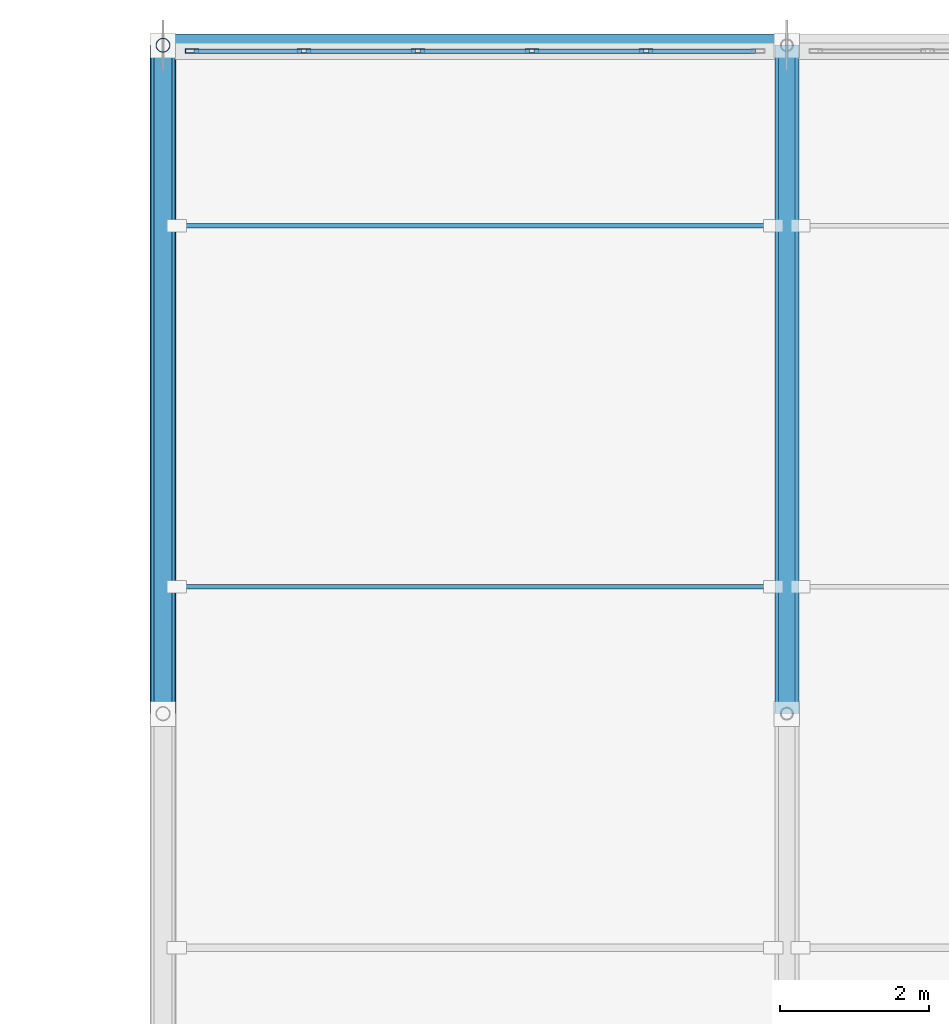
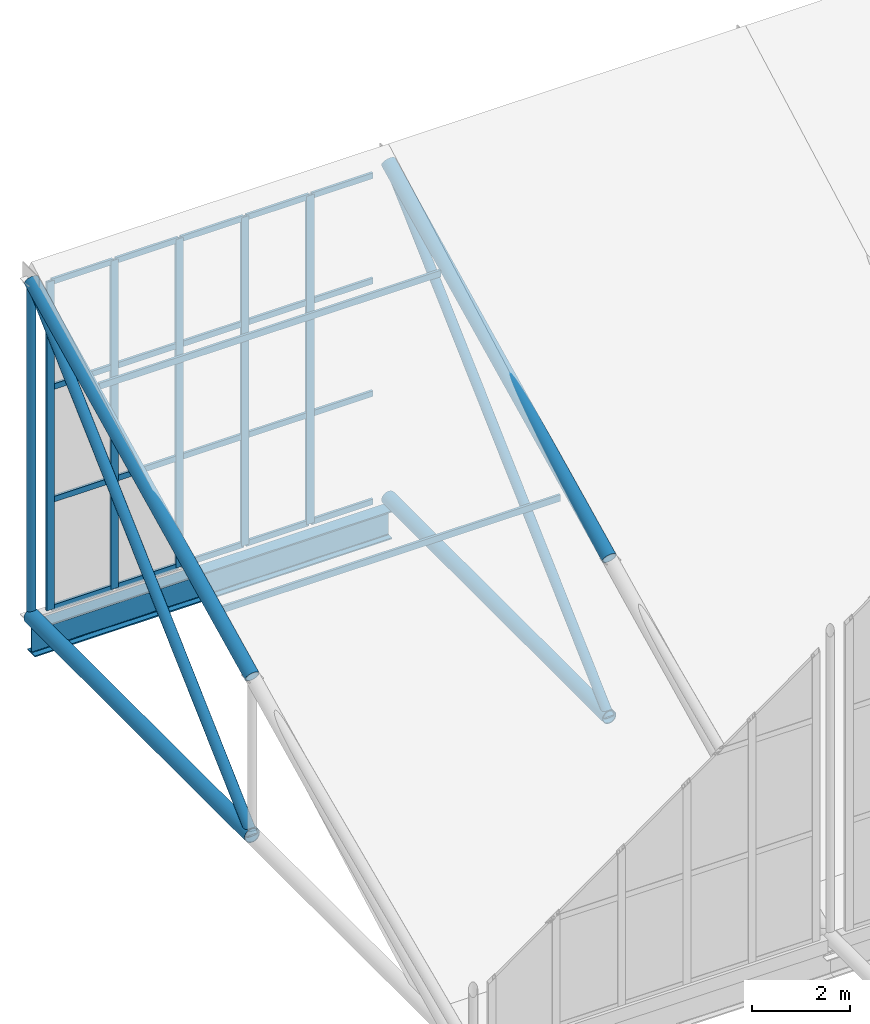
# One storey, part 21 of 38: 34 members, 1 beam, 1 element without a shape of its own.
"""IFC4 building model written with IfcOpenShell, lengths in metres."""

from ifc_helpers import new_model, si_unit, direction, frame, origin, origin_2d, place, context, subcontext, project, spatial, hollow_rectangle, hollow_circle, i_section, extrude, material, material_profile, profile_set, type_object, element, aggregate, save


model = new_model("IFC4")

# Units and contexts
model_context = context("Model", 3, precision=1e-05, world=origin(), true_north=direction((0.0, 1.0)))
body_context = subcontext(model_context, "Body", "Model", "MODEL_VIEW")
ifc_project = project(units=[si_unit("LENGTHUNIT", "METRE"), si_unit("AREAUNIT", "SQUARE_METRE"), si_unit("VOLUMEUNIT", "CUBIC_METRE"), si_unit("PLANEANGLEUNIT", "RADIAN"), si_unit("MASSUNIT", "GRAM", prefix="KILO")], contexts=[model_context])

# Site, building, storey
site_placement = place(None, origin())
site = spatial("IfcSite", under=ifc_project, at=site_placement, CompositionType="ELEMENT")
building_placement = place(site_placement, origin())
building = spatial("IfcBuilding", under=site, at=building_placement, Name="Veltarok Museum of Natural Sciences", CompositionType="ELEMENT")
storey_placement = place(building_placement, frame((0.0, 0.0, 31.199951171875)))
storey = spatial("IfcBuildingStorey", under=building, at=storey_placement, Name="RF", CompositionType="ELEMENT", Elevation=31.199951171875)

# Beam
ifc_material_1 = material(Name="Steel S355J2", Category="steel")
ifc_material_profile_1 = material_profile(ifc_material_1, i_section(OverallWidth=0.300048828125, OverallDepth=0.699951171875, WebThickness=0.01708984375, FlangeThickness=0.031982421875, FilletRadius=0.027099609375, at=origin_2d()), Name="HEB 700")
ifc_profile_set_1 = profile_set([ifc_material_profile_1], Name="Steel S355J2")
beam_type = type_object("IfcBeamType", Name="Long-Span Hall Girder HEB 700", PredefinedType="BEAM", material=ifc_profile_set_1)
beam_placement = place(storey_placement, frame((40.0, 72.0, -6.389892578125), z_axis=(1.0, 0.0, 0.0), x_axis=(0.0, 1.0, 0.0)))
element("IfcBeam", 1, at=beam_placement, inside=storey, type_object=beam_type, Name="Sawtooth Valley Girder 5-6 Y=72.0", PredefinedType="BEAM", context=body_context, shape_type="SweptSolid", body=[
    extrude(i_section(OverallWidth=0.300048828125, OverallDepth=0.699951171875, WebThickness=0.01708984375, FlangeThickness=0.031982421875, FilletRadius=0.027099609375, at=origin_2d()), origin(), (0.0, 0.0, 1.0), 8.39990234375),
])

# Curtain wall, members
ifc_material_2 = material(Name="Low-iron triple insulated glass", Category="glass")
curtain_wall_type = type_object("IfcCurtainWallType", Name="Curtain Wall System CW-SAW-M2-768x817 (Sawtooth North Clerestory M2 768x817cm)", PredefinedType="NOTDEFINED", material=ifc_material_2)
curtain_wall_placement = place(storey_placement, origin())
curtain_wall = element("IfcCurtainWall", 2, at=curtain_wall_placement, inside=storey, type_object=curtain_wall_type, Name="Curtain Wall CW-SAW-M2-768x817 CW-SAW-0073", PredefinedType="NOTDEFINED")
ifc_material_3 = material(Name="Thermally broken anodised aluminium", Category="aluminium")
ifc_material_profile_2 = material_profile(ifc_material_3, hollow_rectangle(XDim=0.06005859375, YDim=0.179931640625, WallThickness=0.006103515625, at=origin_2d()), Name="CW MULLION 60x180x6")
ifc_profile_set_2 = profile_set([ifc_material_profile_2], Name="Thermally broken anodised aluminium")
member_type_1 = type_object("IfcMemberType", Name="Sawtooth Clerestory Mullion 60x180x6", PredefinedType="MULLION", material=ifc_profile_set_2)
member_1_placement = place(storey_placement, frame((46.50390625, 71.919921875, -5.719970703125), z_axis=(0.0, 0.0, 1.0), x_axis=(0.0, -1.0, 0.0)))
member_1 = element("IfcMember", 3, at=member_1_placement, type_object=member_type_1, Name="CW-SAW-M2-768x817 mullion 2", PredefinedType="MULLION", context=body_context, shape_type="SweptSolid", body=[
    extrude(hollow_rectangle(XDim=0.06005859375, YDim=0.179931640625, WallThickness=0.006103515625, at=origin_2d()), origin(), (0.0, 0.0, 1.0), 8.169921875),
])
member_2_placement = place(storey_placement, frame((44.968017578125, 71.919921875, -5.719970703125), z_axis=(0.0, 0.0, 1.0), x_axis=(0.0, -1.0, 0.0)))
member_2 = element("IfcMember", 4, at=member_2_placement, type_object=member_type_1, Name="CW-SAW-M2-768x817 mullion 3", PredefinedType="MULLION", context=body_context, shape_type="SweptSolid", body=[
    extrude(hollow_rectangle(XDim=0.06005859375, YDim=0.179931640625, WallThickness=0.006103515625, at=origin_2d()), origin(), (0.0, 0.0, 1.0), 8.169921875),
])
member_3_placement = place(storey_placement, frame((43.431884765625, 71.919921875, -5.719970703125), z_axis=(0.0, 0.0, 1.0), x_axis=(0.0, -1.0, 0.0)))
member_3 = element("IfcMember", 5, at=member_3_placement, type_object=member_type_1, Name="CW-SAW-M2-768x817 mullion 4", PredefinedType="MULLION", context=body_context, shape_type="SweptSolid", body=[
    extrude(hollow_rectangle(XDim=0.06005859375, YDim=0.179931640625, WallThickness=0.006103515625, at=origin_2d()), origin(), (0.0, 0.0, 1.0), 8.169921875),
])
member_4_placement = place(storey_placement, frame((41.89599609375, 71.919921875, -5.719970703125), z_axis=(0.0, 0.0, 1.0), x_axis=(0.0, -1.0, 0.0)))
member_4 = element("IfcMember", 6, at=member_4_placement, type_object=member_type_1, Name="CW-SAW-M2-768x817 mullion 5", PredefinedType="MULLION", context=body_context, shape_type="SweptSolid", body=[
    extrude(hollow_rectangle(XDim=0.06005859375, YDim=0.179931640625, WallThickness=0.006103515625, at=origin_2d()), origin(), (0.0, 0.0, 1.0), 8.169921875),
])
member_5_placement = place(storey_placement, frame((40.389892578125, 71.919921875, -5.719970703125), z_axis=(0.0, 0.0, 1.0), x_axis=(0.0, -1.0, 0.0)))
member_5 = element("IfcMember", 7, at=member_5_placement, type_object=member_type_1, Name="CW-SAW-M2-768x817 mullion 6", PredefinedType="MULLION", context=body_context, shape_type="SweptSolid", body=[
    extrude(hollow_rectangle(XDim=0.06005859375, YDim=0.179931640625, WallThickness=0.006103515625, at=origin_2d()), origin(), (0.0, 0.0, 1.0), 8.169921875),
])
ifc_material_profile_3 = material_profile(ifc_material_3, hollow_rectangle(XDim=0.06005859375, YDim=0.139892578125, WallThickness=0.0048828125, at=origin_2d()), Name="CW TRANSOM 60x140x5")
ifc_profile_set_3 = profile_set([ifc_material_profile_3], Name="Thermally broken anodised aluminium")
member_type_2 = type_object("IfcMemberType", Name="Sawtooth Clerestory Transom 60x140x5", PredefinedType="USERDEFINED", material=ifc_profile_set_3)
member_6_placement = place(storey_placement, frame((47.97998046875, 71.919921875, -5.68994140625), z_axis=(-1.0, 0.0, 0.0), x_axis=(0.0, -1.0, 0.0)))
member_6 = element("IfcMember", 8, at=member_6_placement, type_object=member_type_2, Name="CW-SAW-M2-768x817 transom 1.1", ObjectType="TRANSOM", PredefinedType="USERDEFINED", context=body_context, shape_type="SweptSolid", body=[
    extrude(hollow_rectangle(XDim=0.06005859375, YDim=0.139892578125, WallThickness=0.0048828125, at=origin_2d()), origin(), (0.0, 0.0, 1.0), 1.446044921875),
])
member_7_placement = place(storey_placement, frame((47.97998046875, 71.919921875, -3.0), z_axis=(-1.0, 0.0, 0.0), x_axis=(0.0, -1.0, 0.0)))
member_7 = element("IfcMember", 9, at=member_7_placement, type_object=member_type_2, Name="CW-SAW-M2-768x817 transom 1.2", ObjectType="TRANSOM", PredefinedType="USERDEFINED", context=body_context, shape_type="SweptSolid", body=[
    extrude(hollow_rectangle(XDim=0.06005859375, YDim=0.139892578125, WallThickness=0.0048828125, at=origin_2d()), origin(), (0.0, 0.0, 1.0), 1.446044921875),
])
member_8_placement = place(storey_placement, frame((47.97998046875, 71.919921875, -0.199951171875), z_axis=(-1.0, 0.0, 0.0), x_axis=(0.0, -1.0, 0.0)))
member_8 = element("IfcMember", 10, at=member_8_placement, type_object=member_type_2, Name="CW-SAW-M2-768x817 transom 1.3", ObjectType="TRANSOM", PredefinedType="USERDEFINED", context=body_context, shape_type="SweptSolid", body=[
    extrude(hollow_rectangle(XDim=0.06005859375, YDim=0.139892578125, WallThickness=0.0048828125, at=origin_2d()), origin(), (0.0, 0.0, 1.0), 1.446044921875),
])
member_9_placement = place(storey_placement, frame((47.97998046875, 71.919921875, 2.420166015625), z_axis=(-1.0, 0.0, 0.0), x_axis=(0.0, -1.0, 0.0)))
member_9 = element("IfcMember", 11, at=member_9_placement, type_object=member_type_2, Name="CW-SAW-M2-768x817 transom 1.4", ObjectType="TRANSOM", PredefinedType="USERDEFINED", context=body_context, shape_type="SweptSolid", body=[
    extrude(hollow_rectangle(XDim=0.06005859375, YDim=0.139892578125, WallThickness=0.0048828125, at=origin_2d()), origin(), (0.0, 0.0, 1.0), 1.446044921875),
])
member_10_placement = place(storey_placement, frame((46.47412109375, 71.919921875, -5.68994140625), z_axis=(-1.0, 0.0, 0.0), x_axis=(0.0, -1.0, 0.0)))
member_10 = element("IfcMember", 12, at=member_10_placement, type_object=member_type_2, Name="CW-SAW-M2-768x817 transom 2.1", ObjectType="TRANSOM", PredefinedType="USERDEFINED", context=body_context, shape_type="SweptSolid", body=[
    extrude(hollow_rectangle(XDim=0.06005859375, YDim=0.139892578125, WallThickness=0.0048828125, at=origin_2d()), origin(), (0.0, 0.0, 1.0), 1.47607421875),
])
member_11_placement = place(storey_placement, frame((46.47412109375, 71.919921875, -3.0), z_axis=(-1.0, 0.0, 0.0), x_axis=(0.0, -1.0, 0.0)))
member_11 = element("IfcMember", 13, at=member_11_placement, type_object=member_type_2, Name="CW-SAW-M2-768x817 transom 2.2", ObjectType="TRANSOM", PredefinedType="USERDEFINED", context=body_context, shape_type="SweptSolid", body=[
    extrude(hollow_rectangle(XDim=0.06005859375, YDim=0.139892578125, WallThickness=0.0048828125, at=origin_2d()), origin(), (0.0, 0.0, 1.0), 1.47607421875),
])
member_12_placement = place(storey_placement, frame((46.47412109375, 71.919921875, -0.199951171875), z_axis=(-1.0, 0.0, 0.0), x_axis=(0.0, -1.0, 0.0)))
member_12 = element("IfcMember", 14, at=member_12_placement, type_object=member_type_2, Name="CW-SAW-M2-768x817 transom 2.3", ObjectType="TRANSOM", PredefinedType="USERDEFINED", context=body_context, shape_type="SweptSolid", body=[
    extrude(hollow_rectangle(XDim=0.06005859375, YDim=0.139892578125, WallThickness=0.0048828125, at=origin_2d()), origin(), (0.0, 0.0, 1.0), 1.47607421875),
])
member_13_placement = place(storey_placement, frame((46.47412109375, 71.919921875, 2.420166015625), z_axis=(-1.0, 0.0, 0.0), x_axis=(0.0, -1.0, 0.0)))
member_13 = element("IfcMember", 15, at=member_13_placement, type_object=member_type_2, Name="CW-SAW-M2-768x817 transom 2.4", ObjectType="TRANSOM", PredefinedType="USERDEFINED", context=body_context, shape_type="SweptSolid", body=[
    extrude(hollow_rectangle(XDim=0.06005859375, YDim=0.139892578125, WallThickness=0.0048828125, at=origin_2d()), origin(), (0.0, 0.0, 1.0), 1.47607421875),
])
member_14_placement = place(storey_placement, frame((44.93798828125, 71.919921875, -5.68994140625), z_axis=(-1.0, 0.0, 0.0), x_axis=(0.0, -1.0, 0.0)))
member_14 = element("IfcMember", 16, at=member_14_placement, type_object=member_type_2, Name="CW-SAW-M2-768x817 transom 3.1", ObjectType="TRANSOM", PredefinedType="USERDEFINED", context=body_context, shape_type="SweptSolid", body=[
    extrude(hollow_rectangle(XDim=0.06005859375, YDim=0.139892578125, WallThickness=0.0048828125, at=origin_2d()), origin(), (0.0, 0.0, 1.0), 1.47607421875),
])
member_15_placement = place(storey_placement, frame((44.93798828125, 71.919921875, -3.0), z_axis=(-1.0, 0.0, 0.0), x_axis=(0.0, -1.0, 0.0)))
member_15 = element("IfcMember", 17, at=member_15_placement, type_object=member_type_2, Name="CW-SAW-M2-768x817 transom 3.2", ObjectType="TRANSOM", PredefinedType="USERDEFINED", context=body_context, shape_type="SweptSolid", body=[
    extrude(hollow_rectangle(XDim=0.06005859375, YDim=0.139892578125, WallThickness=0.0048828125, at=origin_2d()), origin(), (0.0, 0.0, 1.0), 1.47607421875),
])
member_16_placement = place(storey_placement, frame((44.93798828125, 71.919921875, -0.199951171875), z_axis=(-1.0, 0.0, 0.0), x_axis=(0.0, -1.0, 0.0)))
member_16 = element("IfcMember", 18, at=member_16_placement, type_object=member_type_2, Name="CW-SAW-M2-768x817 transom 3.3", ObjectType="TRANSOM", PredefinedType="USERDEFINED", context=body_context, shape_type="SweptSolid", body=[
    extrude(hollow_rectangle(XDim=0.06005859375, YDim=0.139892578125, WallThickness=0.0048828125, at=origin_2d()), origin(), (0.0, 0.0, 1.0), 1.47607421875),
])
member_17_placement = place(storey_placement, frame((44.93798828125, 71.919921875, 2.420166015625), z_axis=(-1.0, 0.0, 0.0), x_axis=(0.0, -1.0, 0.0)))
member_17 = element("IfcMember", 19, at=member_17_placement, type_object=member_type_2, Name="CW-SAW-M2-768x817 transom 3.4", ObjectType="TRANSOM", PredefinedType="USERDEFINED", context=body_context, shape_type="SweptSolid", body=[
    extrude(hollow_rectangle(XDim=0.06005859375, YDim=0.139892578125, WallThickness=0.0048828125, at=origin_2d()), origin(), (0.0, 0.0, 1.0), 1.47607421875),
])
member_18_placement = place(storey_placement, frame((43.402099609375, 71.919921875, -5.68994140625), z_axis=(-1.0, 0.0, 0.0), x_axis=(0.0, -1.0, 0.0)))
member_18 = element("IfcMember", 20, at=member_18_placement, type_object=member_type_2, Name="CW-SAW-M2-768x817 transom 4.1", ObjectType="TRANSOM", PredefinedType="USERDEFINED", context=body_context, shape_type="SweptSolid", body=[
    extrude(hollow_rectangle(XDim=0.06005859375, YDim=0.139892578125, WallThickness=0.0048828125, at=origin_2d()), origin(), (0.0, 0.0, 1.0), 1.47607421875),
])
member_19_placement = place(storey_placement, frame((43.402099609375, 71.919921875, -3.0), z_axis=(-1.0, 0.0, 0.0), x_axis=(0.0, -1.0, 0.0)))
member_19 = element("IfcMember", 21, at=member_19_placement, type_object=member_type_2, Name="CW-SAW-M2-768x817 transom 4.2", ObjectType="TRANSOM", PredefinedType="USERDEFINED", context=body_context, shape_type="SweptSolid", body=[
    extrude(hollow_rectangle(XDim=0.06005859375, YDim=0.139892578125, WallThickness=0.0048828125, at=origin_2d()), origin(), (0.0, 0.0, 1.0), 1.47607421875),
])
member_20_placement = place(storey_placement, frame((43.402099609375, 71.919921875, -0.199951171875), z_axis=(-1.0, 0.0, 0.0), x_axis=(0.0, -1.0, 0.0)))
member_20 = element("IfcMember", 22, at=member_20_placement, type_object=member_type_2, Name="CW-SAW-M2-768x817 transom 4.3", ObjectType="TRANSOM", PredefinedType="USERDEFINED", context=body_context, shape_type="SweptSolid", body=[
    extrude(hollow_rectangle(XDim=0.06005859375, YDim=0.139892578125, WallThickness=0.0048828125, at=origin_2d()), origin(), (0.0, 0.0, 1.0), 1.47607421875),
])
member_21_placement = place(storey_placement, frame((43.402099609375, 71.919921875, 2.420166015625), z_axis=(-1.0, 0.0, 0.0), x_axis=(0.0, -1.0, 0.0)))
member_21 = element("IfcMember", 23, at=member_21_placement, type_object=member_type_2, Name="CW-SAW-M2-768x817 transom 4.4", ObjectType="TRANSOM", PredefinedType="USERDEFINED", context=body_context, shape_type="SweptSolid", body=[
    extrude(hollow_rectangle(XDim=0.06005859375, YDim=0.139892578125, WallThickness=0.0048828125, at=origin_2d()), origin(), (0.0, 0.0, 1.0), 1.47607421875),
])
member_22_placement = place(storey_placement, frame((41.865966796875, 71.919921875, -5.68994140625), z_axis=(-1.0, 0.0, 0.0), x_axis=(0.0, -1.0, 0.0)))
member_22 = element("IfcMember", 24, at=member_22_placement, type_object=member_type_2, Name="CW-SAW-M2-768x817 transom 5.1", ObjectType="TRANSOM", PredefinedType="USERDEFINED", context=body_context, shape_type="SweptSolid", body=[
    extrude(hollow_rectangle(XDim=0.06005859375, YDim=0.139892578125, WallThickness=0.0048828125, at=origin_2d()), origin(), (0.0, 0.0, 1.0), 1.446044921875),
])
member_23_placement = place(storey_placement, frame((41.865966796875, 71.919921875, -3.0), z_axis=(-1.0, 0.0, 0.0), x_axis=(0.0, -1.0, 0.0)))
member_23 = element("IfcMember", 25, at=member_23_placement, type_object=member_type_2, Name="CW-SAW-M2-768x817 transom 5.2", ObjectType="TRANSOM", PredefinedType="USERDEFINED", context=body_context, shape_type="SweptSolid", body=[
    extrude(hollow_rectangle(XDim=0.06005859375, YDim=0.139892578125, WallThickness=0.0048828125, at=origin_2d()), origin(), (0.0, 0.0, 1.0), 1.446044921875),
])
member_24_placement = place(storey_placement, frame((41.865966796875, 71.919921875, -0.199951171875), z_axis=(-1.0, 0.0, 0.0), x_axis=(0.0, -1.0, 0.0)))
member_24 = element("IfcMember", 26, at=member_24_placement, type_object=member_type_2, Name="CW-SAW-M2-768x817 transom 5.3", ObjectType="TRANSOM", PredefinedType="USERDEFINED", context=body_context, shape_type="SweptSolid", body=[
    extrude(hollow_rectangle(XDim=0.06005859375, YDim=0.139892578125, WallThickness=0.0048828125, at=origin_2d()), origin(), (0.0, 0.0, 1.0), 1.446044921875),
])
member_25_placement = place(storey_placement, frame((41.865966796875, 71.919921875, 2.420166015625), z_axis=(-1.0, 0.0, 0.0), x_axis=(0.0, -1.0, 0.0)))
member_25 = element("IfcMember", 27, at=member_25_placement, type_object=member_type_2, Name="CW-SAW-M2-768x817 transom 5.4", ObjectType="TRANSOM", PredefinedType="USERDEFINED", context=body_context, shape_type="SweptSolid", body=[
    extrude(hollow_rectangle(XDim=0.06005859375, YDim=0.139892578125, WallThickness=0.0048828125, at=origin_2d()), origin(), (0.0, 0.0, 1.0), 1.446044921875),
])
aggregate(curtain_wall, [member_1, member_2, member_3, member_4, member_5, member_6, member_7, member_8, member_9, member_10, member_11, member_12, member_13, member_14, member_15, member_16, member_17, member_18, member_19, member_20, member_21, member_22, member_23, member_24, member_25])

# Members
ifc_material_4 = material(Name="Oxide-red painted Steel S355J2", Category="steel")
ifc_material_profile_4 = material_profile(ifc_material_4, hollow_circle(Radius=0.122314453125, WallThickness=0.012451171875, at=origin_2d()), Name="CHS 244.5x12.5")
ifc_profile_set_4 = profile_set([ifc_material_profile_4], Name="Oxide-red painted Steel S355J2")
member_type_3 = type_object("IfcMemberType", Name="Sawtooth End Diagonal CHS 244.5x12.5", PredefinedType="BRACE", material=ifc_profile_set_4)
member_26_placement = place(storey_placement, frame((40.0, 63.0, -5.800048828125), z_axis=(0.0, 0.733079568112, 0.680142887059), x_axis=(-1.0, 0.0, 0.0)))
element("IfcMember", 28, at=member_26_placement, inside=storey, type_object=member_type_3, Name="Roof Truss Diagonal 5 M2", PredefinedType="BRACE", context=body_context, shape_type="SweptSolid", body=[
    extrude(hollow_circle(Radius=0.122314453125, WallThickness=0.012451171875, at=origin_2d()), origin(), (0.0, 0.0, 1.0), 12.27685546875),
])
ifc_material_profile_5 = material_profile(ifc_material_4, hollow_circle(Radius=0.096923828125, WallThickness=0.010009765625, at=origin_2d()), Name="CHS 193.7x10")
ifc_profile_set_5 = profile_set([ifc_material_profile_5], Name="Oxide-red painted Steel S355J2")
member_type_4 = type_object("IfcMemberType", Name="Sawtooth End Strut CHS 193.7x10", PredefinedType="STRUT", material=ifc_profile_set_5)
member_27_placement = place(storey_placement, frame((40.0, 72.0, -5.800048828125), z_axis=(0.0, 0.0, 1.0), x_axis=(1.0, 0.0, 0.0)))
element("IfcMember", 29, at=member_27_placement, inside=storey, type_object=member_type_4, Name="Roof Truss Strut 5 M2", PredefinedType="STRUT", context=body_context, shape_type="SweptSolid", body=[
    extrude(hollow_circle(Radius=0.096923828125, WallThickness=0.010009765625, at=origin_2d()), origin(), (0.0, 0.0, 1.0), 8.35009765625),
])
ifc_material_profile_6 = material_profile(ifc_material_4, hollow_circle(Radius=0.177734375, WallThickness=0.01611328125, at=origin_2d()), Name="CHS 355.6x16")
ifc_profile_set_6 = profile_set([ifc_material_profile_6], Name="Oxide-red painted Steel S355J2")
member_type_5 = type_object("IfcMemberType", Name="Sawtooth Heavy Chord CHS 355.6x16", PredefinedType="CHORD", material=ifc_profile_set_6)
member_28_placement = place(storey_placement, frame((40.0, 63.0, -5.800048828125), z_axis=(0.0, 1.0, 0.0), x_axis=(-1.0, 0.0, 0.0)))
element("IfcMember", 30, at=member_28_placement, inside=storey, type_object=member_type_5, Name="Roof Truss Bottom Chord 5 M2", PredefinedType="CHORD", context=body_context, shape_type="SweptSolid", body=[
    extrude(hollow_circle(Radius=0.177734375, WallThickness=0.01611328125, at=origin_2d()), origin(), (0.0, 0.0, 1.0), 9.0),
])
ifc_material_profile_7 = material_profile(ifc_material_1, hollow_rectangle(XDim=0.06005859375, YDim=0.159912109375, WallThickness=0.0048828125, at=origin_2d()), Name="RHS 160x60x5")
ifc_profile_set_7 = profile_set([ifc_material_profile_7], Name="Steel S355J2")
member_type_6 = type_object("IfcMemberType", Name="Sawtooth Roof Purlin RHS 160x60x5", PredefinedType="PURLIN", material=ifc_profile_set_7)
for number, where, z_axis, x_axis, name in (
    (31, (40.179931640625, 64.7099609375, -1.310302734375), (1.0, 0.0, 0.0), (0.0, 1.0, 0.0), "Sawtooth Purlin 5-6 M2"),
    (32, (40.179931640625, 69.570068359375, 1.32958984375), (1.0, 0.0, 0.0), (0.0, 1.0, 0.0), "Sawtooth Purlin 5-6 M2"),
):
    element("IfcMember", number, at=place(storey_placement, frame(where, z_axis=z_axis, x_axis=x_axis)), inside=storey, type_object=member_type_6, Name=name, PredefinedType="PURLIN", context=body_context, shape_type="SweptSolid", body=[
        extrude(hollow_rectangle(XDim=0.06005859375, YDim=0.159912109375, WallThickness=0.0048828125, at=origin_2d()), origin(), (0.0, 0.0, 1.0), 8.0400390625),
    ])
ifc_material_profile_8 = material_profile(ifc_material_4, hollow_circle(Radius=0.161865234375, WallThickness=0.01611328125, at=origin_2d()), Name="CHS 323.9x16")
ifc_profile_set_8 = profile_set([ifc_material_profile_8], Name="Oxide-red painted Steel S355J2")
member_type_7 = type_object("IfcMemberType", Name="Sawtooth Truss Chord CHS 323.9x16", PredefinedType="CHORD", material=ifc_profile_set_8)
member_29_placement = place(storey_placement, frame((40.0, 63.0, -1.849853515625), z_axis=(0.0, 0.898388207299, 0.439202264322), x_axis=(-1.0, 0.0, 0.0)))
element("IfcMember", 33, at=member_29_placement, inside=storey, type_object=member_type_7, Name="Roof Truss Top Chord 5 M2", PredefinedType="CHORD", context=body_context, shape_type="SweptSolid", body=[
    extrude(hollow_circle(Radius=0.161865234375, WallThickness=0.01611328125, at=origin_2d()), origin(), (0.0, 0.0, 1.0), 10.017822265625),
])
member_30_placement = place(storey_placement, frame((48.39990234375, 63.0, -5.800048828125), z_axis=(0.0, 1.0, 0.0), x_axis=(-1.0, 0.0, 0.0)))
element("IfcMember", 34, at=member_30_placement, inside=storey, type_object=member_type_7, Name="Roof Truss Bottom Chord 6 M2", PredefinedType="CHORD", context=body_context, shape_type="SweptSolid", body=[
    extrude(hollow_circle(Radius=0.161865234375, WallThickness=0.01611328125, at=origin_2d()), origin(), (0.0, 0.0, 1.0), 9.0),
])
member_31_placement = place(storey_placement, frame((48.39990234375, 63.0, -1.849853515625), z_axis=(0.0, 0.898388207299, 0.439202264322), x_axis=(-1.0, 0.0, 0.0)))
element("IfcMember", 35, at=member_31_placement, inside=storey, type_object=member_type_7, Name="Roof Truss Top Chord 6 M2", PredefinedType="CHORD", context=body_context, shape_type="SweptSolid", body=[
    extrude(hollow_circle(Radius=0.161865234375, WallThickness=0.01611328125, at=origin_2d()), origin(), (0.0, 0.0, 1.0), 10.017822265625),
])
ifc_material_profile_9 = material_profile(ifc_material_4, hollow_circle(Radius=0.109619140625, WallThickness=0.010009765625, at=origin_2d()), Name="CHS 219.1x10")
ifc_profile_set_9 = profile_set([ifc_material_profile_9], Name="Oxide-red painted Steel S355J2")
member_type_8 = type_object("IfcMemberType", Name="Sawtooth Truss Web Diagonal CHS 219.1x10", PredefinedType="BRACE", material=ifc_profile_set_9)
member_32_placement = place(storey_placement, frame((48.39990234375, 63.0, -5.800048828125), z_axis=(0.0, 0.733079568112, 0.680142887059), x_axis=(-1.0, 0.0, 0.0)))
element("IfcMember", 36, at=member_32_placement, inside=storey, type_object=member_type_8, Name="Roof Truss Diagonal 6 M2", PredefinedType="BRACE", context=body_context, shape_type="SweptSolid", body=[
    extrude(hollow_circle(Radius=0.109619140625, WallThickness=0.010009765625, at=origin_2d()), origin(), (0.0, 0.0, 1.0), 12.27685546875),
])

save(model, "model.ifc")
